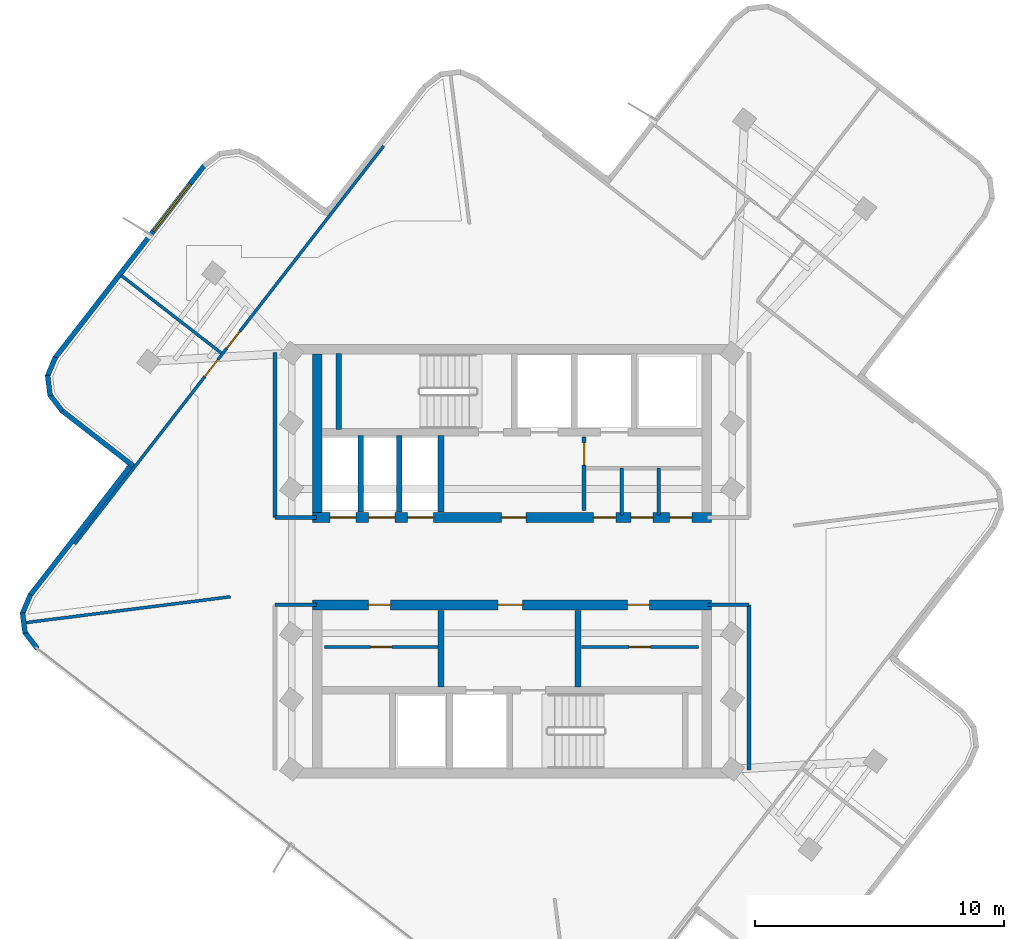
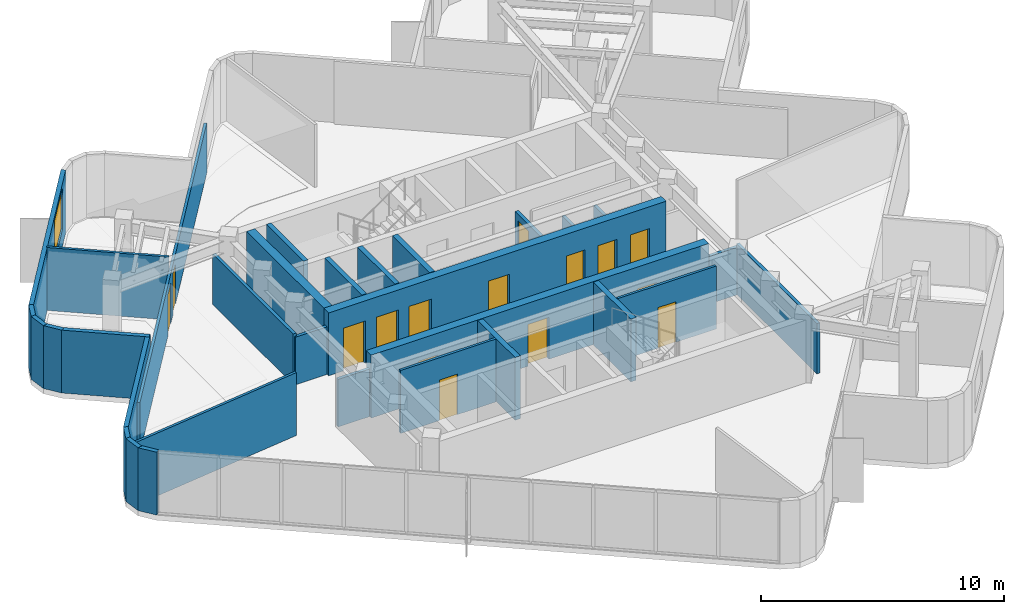
# One storey, part 6 of 10: 31 walls, 15 doors, 1 window, 16 openings.
"""IFC4 building model written with IfcOpenShell, lengths in metres."""

from ifc_helpers import new_model, si_unit, direction, frame, frame_2d, origin, place, context, subcontext, project, spatial, rectangle, extrude, material, layer, layer_set, type_object, element, fill, save


model = new_model("IFC4")

# Units and contexts
model_context = context("Model", 3, precision=1e-05, world=origin(), true_north=direction((0.0, 1.0)))
body_context = subcontext(model_context, "Body", "Model", "MODEL_VIEW")
ifc_project = project(units=[si_unit("LENGTHUNIT", "METRE"), si_unit("AREAUNIT", "SQUARE_METRE"), si_unit("VOLUMEUNIT", "CUBIC_METRE"), si_unit("PLANEANGLEUNIT", "RADIAN"), si_unit("MASSUNIT", "GRAM", prefix="KILO")], contexts=[model_context])

# Site, building, storey
site_placement = place(None, origin())
site = spatial("IfcSite", under=ifc_project, at=site_placement, CompositionType="ELEMENT")
building_placement = place(site_placement, origin())
building = spatial("IfcBuilding", under=site, at=building_placement, Name="Solmarez Civic Tower", CompositionType="ELEMENT")
storey_placement = place(building_placement, frame((0.0, 0.0, 257.760009765625)))
storey = spatial("IfcBuildingStorey", under=building, at=storey_placement, Name="L69", CompositionType="ELEMENT", Elevation=257.760009765625)

# Wall, openings, doors
ifc_material_1 = material(Name="Concrete C50/60", Category="concrete")
ifc_layer_1 = layer(ifc_material_1, 0.39990234375)
ifc_layer_set_1 = layer_set([ifc_layer_1], Name="Concrete C50/60")
wall_type_1 = type_object("IfcWallType", Name="WALL-CORE-400", PredefinedType="SHEAR", material=ifc_layer_set_1)
wall_1_placement = place(storey_placement, frame((8.02001953125, 1.75, 0.0), z_axis=(0.0, 0.0, 1.0), x_axis=(-1.0, 0.0, 0.0)))
wall_1 = element("IfcWall", 1, at=wall_1_placement, inside=storey, type_object=wall_type_1, Name="L69 Split-Core Structural Wall NCW-S-L69", PredefinedType="SHEAR", context=body_context, shape_type="SweptSolid", body=[
    extrude(rectangle(XDim=16.0400390625, YDim=0.39990234375, at=frame_2d((8.02001953125, 0.0))), origin(), (0.0, 0.0, 1.0), 3.159912109375),
])
opening_1_placement = place(wall_1_placement, frame((7.449951171875, 0.0, 0.0)))
opening_1 = element("IfcOpeningElement", 2, at=opening_1_placement, cuts=wall_1, Name="Opening D-04", PredefinedType="OPENING", context=body_context, shape_type="SweptSolid", body=[
    extrude(rectangle(XDim=1.0, YDim=2.10009765625, at=frame_2d((0.5, 1.050048828125))), frame((0.0, 0.2099609375, 0.0), z_axis=(0.0, -1.0, 0.0), x_axis=(1.0, 0.0, 0.0)), (0.0, 0.0, 1.0), 0.419921875),
])
opening_2_placement = place(wall_1_placement, frame((14.284912109375, 0.0, 0.0)))
opening_2 = element("IfcOpeningElement", 3, at=opening_2_placement, cuts=wall_1, Name="Opening LD-01", PredefinedType="OPENING", context=body_context, shape_type="SweptSolid", body=[
    extrude(rectangle(XDim=1.050048828125, YDim=2.14990234375, at=frame_2d((0.52490234375, 1.074951171875))), frame((0.0, 0.2099609375, 0.0), z_axis=(0.0, -1.0, 0.0), x_axis=(1.0, 0.0, 0.0)), (0.0, 0.0, 1.0), 0.419921875),
])
opening_3_placement = place(wall_1_placement, frame((12.72509765625, 0.0, 0.0)))
opening_3 = element("IfcOpeningElement", 4, at=opening_3_placement, cuts=wall_1, Name="Opening LD-01", PredefinedType="OPENING", context=body_context, shape_type="SweptSolid", body=[
    extrude(rectangle(XDim=1.050048828125, YDim=2.14990234375, at=frame_2d((0.52490234375, 1.074951171875))), frame((0.0, 0.2099609375, 0.0), z_axis=(0.0, -1.0, 0.0), x_axis=(1.0, 0.0, 0.0)), (0.0, 0.0, 1.0), 0.419921875),
])
opening_4_placement = place(wall_1_placement, frame((11.1650390625, 0.0, 0.0)))
opening_4 = element("IfcOpeningElement", 5, at=opening_4_placement, cuts=wall_1, Name="Opening LD-01", PredefinedType="OPENING", context=body_context, shape_type="SweptSolid", body=[
    extrude(rectangle(XDim=1.050048828125, YDim=2.14990234375, at=frame_2d((0.52490234375, 1.074951171875))), frame((0.0, 0.2099609375, 0.0), z_axis=(0.0, -1.0, 0.0), x_axis=(1.0, 0.0, 0.0)), (0.0, 0.0, 1.0), 0.419921875),
])
opening_5_placement = place(wall_1_placement, frame((3.85009765625, 0.0, 0.0)))
opening_5 = element("IfcOpeningElement", 6, at=opening_5_placement, cuts=wall_1, Name="Opening D-09", PredefinedType="OPENING", context=body_context, shape_type="SweptSolid", body=[
    extrude(rectangle(XDim=0.89990234375, YDim=2.06005859375, at=frame_2d((0.449951171875, 1.030029296875))), frame((0.0, 0.2099609375, 0.0), z_axis=(0.0, -1.0, 0.0), x_axis=(1.0, 0.0, 0.0)), (0.0, 0.0, 1.0), 0.419921875),
])
opening_6_placement = place(wall_1_placement, frame((2.35009765625, 0.0, 0.0)))
opening_6 = element("IfcOpeningElement", 7, at=opening_6_placement, cuts=wall_1, Name="Opening D-09", PredefinedType="OPENING", context=body_context, shape_type="SweptSolid", body=[
    extrude(rectangle(XDim=0.89990234375, YDim=2.06005859375, at=frame_2d((0.449951171875, 1.030029296875))), frame((0.0, 0.2099609375, 0.0), z_axis=(0.0, -1.0, 0.0), x_axis=(1.0, 0.0, 0.0)), (0.0, 0.0, 1.0), 0.419921875),
])
opening_7_placement = place(wall_1_placement, frame((0.800048828125, 0.0, 0.0)))
opening_7 = element("IfcOpeningElement", 8, at=opening_7_placement, cuts=wall_1, Name="Opening D-09", PredefinedType="OPENING", context=body_context, shape_type="SweptSolid", body=[
    extrude(rectangle(XDim=0.89990234375, YDim=2.06005859375, at=frame_2d((0.449951171875, 1.030029296875))), frame((0.0, 0.2099609375, 0.0), z_axis=(0.0, -1.0, 0.0), x_axis=(1.0, 0.0, 0.0)), (0.0, 0.0, 1.0), 0.419921875),
])
ifc_material_2 = material(Name="Steel-Faced Acoustic Fire Door", Category="steel")
door_type_1 = type_object("IfcDoorType", Name="DOOR-FD60-1000", OperationType="NOTDEFINED", PredefinedType="DOOR", material=ifc_material_2)
door_1_placement = place(opening_1_placement, origin())
door_1 = element("IfcDoor", 9, at=door_1_placement, inside=storey, type_object=door_type_1, Name="L69 North Firefighting Lobby Door", OperationType="SINGLE_SWING_RIGHT", OverallHeight=2.10009765625, OverallWidth=1.0, PredefinedType="DOOR", context=body_context, shape_type="SweptSolid", body=[
    extrude(rectangle(XDim=1.0, YDim=2.10009765625, at=frame_2d((0.5, 1.050048828125))), frame((0.0, 0.02490234375, 0.0), z_axis=(0.0, -1.0, 0.0), x_axis=(1.0, 0.0, 0.0)), (0.0, 0.0, 1.0), 0.050048828125),
])
fill(opening_1, door_1)
ifc_material_3 = material(Name="Fire-Rated Service Core Door", Category="wood")
door_type_2 = type_object("IfcDoorType", Name="DOOR-FD60-900", OperationType="NOTDEFINED", PredefinedType="DOOR", material=ifc_material_3)
door_2_placement = place(opening_5_placement, origin())
door_2 = element("IfcDoor", 10, at=door_2_placement, inside=storey, type_object=door_type_2, Name="L69 Core WC Door", OperationType="SINGLE_SWING_RIGHT", OverallHeight=2.06005859375, OverallWidth=0.89990234375, PredefinedType="DOOR", context=body_context, shape_type="SweptSolid", body=[
    extrude(rectangle(XDim=0.89990234375, YDim=2.06005859375, at=frame_2d((0.449951171875, 1.030029296875))), frame((0.0, 0.02490234375, 0.0), z_axis=(0.0, -1.0, 0.0), x_axis=(1.0, 0.0, 0.0)), (0.0, 0.0, 1.0), 0.050048828125),
])
fill(opening_5, door_2)
door_3_placement = place(opening_6_placement, origin())
door_3 = element("IfcDoor", 11, at=door_3_placement, inside=storey, type_object=door_type_2, Name="L69 Core CL Door", OperationType="SINGLE_SWING_LEFT", OverallHeight=2.06005859375, OverallWidth=0.89990234375, PredefinedType="DOOR", context=body_context, shape_type="SweptSolid", body=[
    extrude(rectangle(XDim=0.89990234375, YDim=2.06005859375, at=frame_2d((0.449951171875, 1.030029296875))), frame((0.0, 0.02490234375, 0.0), z_axis=(0.0, -1.0, 0.0), x_axis=(1.0, 0.0, 0.0)), (0.0, 0.0, 1.0), 0.050048828125),
])
fill(opening_6, door_3)
door_4_placement = place(opening_7_placement, origin())
door_4 = element("IfcDoor", 12, at=door_4_placement, inside=storey, type_object=door_type_2, Name="L69 Core IT Door", OperationType="SINGLE_SWING_LEFT", OverallHeight=2.06005859375, OverallWidth=0.89990234375, PredefinedType="DOOR", context=body_context, shape_type="SweptSolid", body=[
    extrude(rectangle(XDim=0.89990234375, YDim=2.06005859375, at=frame_2d((0.449951171875, 1.030029296875))), frame((0.0, 0.02490234375, 0.0), z_axis=(0.0, -1.0, 0.0), x_axis=(1.0, 0.0, 0.0)), (0.0, 0.0, 1.0), 0.050048828125),
])
fill(opening_7, door_4)
ifc_material_4 = material(Name="Bronze Passenger Lift Landing Sliding Door", Category="aluminium")
door_type_3 = type_object("IfcDoorType", Name="DOOR-LD-PAX-1050", OperationType="DOUBLE_DOOR_SLIDING", PredefinedType="DOOR", material=ifc_material_4)
door_5_placement = place(opening_2_placement, origin())
door_5 = element("IfcDoor", 13, at=door_5_placement, inside=storey, type_object=door_type_3, Name="L69 High-Rise Lift Landing Door PL-H1", OperationType="DOUBLE_DOOR_SLIDING", OverallHeight=2.14990234375, OverallWidth=1.050048828125, PredefinedType="DOOR", context=body_context, shape_type="SweptSolid", body=[
    extrude(rectangle(XDim=1.050048828125, YDim=2.14990234375, at=frame_2d((0.52490234375, 1.074951171875))), frame((0.0, 0.02490234375, 0.0), z_axis=(0.0, -1.0, 0.0), x_axis=(1.0, 0.0, 0.0)), (0.0, 0.0, 1.0), 0.050048828125),
])
fill(opening_2, door_5)
door_6_placement = place(opening_3_placement, origin())
door_6 = element("IfcDoor", 14, at=door_6_placement, inside=storey, type_object=door_type_3, Name="L69 High-Rise Lift Landing Door PL-H2", OperationType="DOUBLE_DOOR_SLIDING", OverallHeight=2.14990234375, OverallWidth=1.050048828125, PredefinedType="DOOR", context=body_context, shape_type="SweptSolid", body=[
    extrude(rectangle(XDim=1.050048828125, YDim=2.14990234375, at=frame_2d((0.52490234375, 1.074951171875))), frame((0.0, 0.02490234375, 0.0), z_axis=(0.0, -1.0, 0.0), x_axis=(1.0, 0.0, 0.0)), (0.0, 0.0, 1.0), 0.050048828125),
])
fill(opening_3, door_6)
door_7_placement = place(opening_4_placement, origin())
door_7 = element("IfcDoor", 15, at=door_7_placement, inside=storey, type_object=door_type_3, Name="L69 High-Rise Lift Landing Door PL-H3", OperationType="DOUBLE_DOOR_SLIDING", OverallHeight=2.14990234375, OverallWidth=1.050048828125, PredefinedType="DOOR", context=body_context, shape_type="SweptSolid", body=[
    extrude(rectangle(XDim=1.050048828125, YDim=2.14990234375, at=frame_2d((0.52490234375, 1.074951171875))), frame((0.0, 0.02490234375, 0.0), z_axis=(0.0, -1.0, 0.0), x_axis=(1.0, 0.0, 0.0)), (0.0, 0.0, 1.0), 0.050048828125),
])
fill(opening_4, door_7)

# Wall
wall_2_placement = place(storey_placement, frame((-7.820068359375, 1.949951171875, 0.0), z_axis=(0.0, 0.0, 1.0), x_axis=(0.0, 1.0, 0.0)))
element("IfcWall", 16, at=wall_2_placement, inside=storey, type_object=wall_type_1, Name="L69 Split-Core Structural Wall NCW-W-L69", PredefinedType="SHEAR", context=body_context, shape_type="SweptSolid", body=[
    extrude(rectangle(XDim=6.360107421875, YDim=0.39990234375, at=frame_2d((3.18017578125, 0.0))), origin(), (0.0, 0.0, 1.0), 3.159912109375),
])

# Wall, openings, doors
wall_3_placement = place(storey_placement, frame((-8.02001953125, -1.75, 0.0), z_axis=(0.0, 0.0, 1.0), x_axis=(1.0, 0.0, 0.0)))
wall_3 = element("IfcWall", 17, at=wall_3_placement, inside=storey, type_object=wall_type_1, Name="L69 Split-Core Structural Wall SCW-N-L69", PredefinedType="SHEAR", context=body_context, shape_type="SweptSolid", body=[
    extrude(rectangle(XDim=16.0400390625, YDim=0.39990234375, at=frame_2d((8.02001953125, 0.0))), origin(), (0.0, 0.0, 1.0), 3.159912109375),
])
opening_8_placement = place(wall_3_placement, frame((7.449951171875, 0.0, 0.0)))
opening_8 = element("IfcOpeningElement", 18, at=opening_8_placement, cuts=wall_3, Name="Opening D-04", PredefinedType="OPENING", context=body_context, shape_type="SweptSolid", body=[
    extrude(rectangle(XDim=1.0, YDim=2.10009765625, at=frame_2d((0.5, 1.050048828125))), frame((0.0, 0.2099609375, 0.0), z_axis=(0.0, -1.0, 0.0), x_axis=(1.0, 0.0, 0.0)), (0.0, 0.0, 1.0), 0.419921875),
])
opening_9_placement = place(wall_3_placement, frame((12.64990234375, 0.0, 0.0)))
opening_9 = element("IfcOpeningElement", 19, at=opening_9_placement, cuts=wall_3, Name="Opening D-09", PredefinedType="OPENING", context=body_context, shape_type="SweptSolid", body=[
    extrude(rectangle(XDim=0.89990234375, YDim=2.06005859375, at=frame_2d((0.449951171875, 1.030029296875))), frame((0.0, 0.2099609375, 0.0), z_axis=(0.0, -1.0, 0.0), x_axis=(1.0, 0.0, 0.0)), (0.0, 0.0, 1.0), 0.419921875),
])
opening_10_placement = place(wall_3_placement, frame((2.25, 0.0, 0.0)))
opening_10 = element("IfcOpeningElement", 20, at=opening_10_placement, cuts=wall_3, Name="Opening D-09", PredefinedType="OPENING", context=body_context, shape_type="SweptSolid", body=[
    extrude(rectangle(XDim=0.89990234375, YDim=2.06005859375, at=frame_2d((0.449951171875, 1.030029296875))), frame((0.0, 0.2099609375, 0.0), z_axis=(0.0, -1.0, 0.0), x_axis=(1.0, 0.0, 0.0)), (0.0, 0.0, 1.0), 0.419921875),
])
door_8_placement = place(opening_8_placement, origin())
door_8 = element("IfcDoor", 21, at=door_8_placement, inside=storey, type_object=door_type_1, Name="L69 South Firefighting Lobby Door", OperationType="SINGLE_SWING_LEFT", OverallHeight=2.10009765625, OverallWidth=1.0, PredefinedType="DOOR", context=body_context, shape_type="SweptSolid", body=[
    extrude(rectangle(XDim=1.0, YDim=2.10009765625, at=frame_2d((0.5, 1.050048828125))), frame((0.0, 0.02490234375, 0.0), z_axis=(0.0, -1.0, 0.0), x_axis=(1.0, 0.0, 0.0)), (0.0, 0.0, 1.0), 0.050048828125),
])
fill(opening_8, door_8)
door_9_placement = place(opening_9_placement, origin())
door_9 = element("IfcDoor", 22, at=door_9_placement, inside=storey, type_object=door_type_2, Name="L69 Freed Hoistway Mailroom Door", OperationType="SINGLE_SWING_LEFT", OverallHeight=2.06005859375, OverallWidth=0.89990234375, PredefinedType="DOOR", context=body_context, shape_type="SweptSolid", body=[
    extrude(rectangle(XDim=0.89990234375, YDim=2.06005859375, at=frame_2d((0.449951171875, 1.030029296875))), frame((0.0, 0.02490234375, 0.0), z_axis=(0.0, -1.0, 0.0), x_axis=(1.0, 0.0, 0.0)), (0.0, 0.0, 1.0), 0.050048828125),
])
fill(opening_9, door_9)
door_10_placement = place(opening_10_placement, origin())
door_10 = element("IfcDoor", 23, at=door_10_placement, inside=storey, type_object=door_type_2, Name="L69 Staff Kitchenette Pantry Door", OperationType="SINGLE_SWING_RIGHT", OverallHeight=2.06005859375, OverallWidth=0.89990234375, PredefinedType="DOOR", context=body_context, shape_type="SweptSolid", body=[
    extrude(rectangle(XDim=0.89990234375, YDim=2.06005859375, at=frame_2d((0.449951171875, 1.030029296875))), frame((0.0, 0.02490234375, 0.0), z_axis=(0.0, -1.0, 0.0), x_axis=(1.0, 0.0, 0.0)), (0.0, 0.0, 1.0), 0.050048828125),
])
fill(opening_10, door_10)

# Walls
ifc_material_5 = material(Name="Precast concrete C40/50", Category="concrete")
ifc_layer_2 = layer(ifc_material_5, 0.199951171875)
ifc_layer_set_2 = layer_set([ifc_layer_2], Name="Precast concrete C40/50")
wall_type_2 = type_object("IfcWallType", Name="WALL-EXT-200", PredefinedType="SOLIDWALL", material=ifc_layer_set_2)
wall_4_placement = place(storey_placement, frame((-19.06396484375, -3.509033203125, 0.0), z_axis=(0.0, 0.0, 1.0), x_axis=(-0.603908166539, 0.797053904317, 0.0)))
element("IfcWall", 24, at=wall_4_placement, inside=storey, type_object=wall_type_2, Name="L69 Exterior Precast Wall 7", PredefinedType="SOLIDWALL", context=body_context, shape_type="SweptSolid", body=[
    extrude(rectangle(XDim=0.838134765625, YDim=0.199951171875, at=frame_2d((0.4189453125, 0.0))), origin(), (0.0, 0.0, 1.0), 3.159912109375),
])
wall_5_placement = place(storey_placement, frame((-19.552001953125, -2.885986328125, 0.0), z_axis=(0.0, 0.0, 1.0), x_axis=(-0.124799052175, 0.992182038023, 0.0)))
element("IfcWall", 25, at=wall_5_placement, inside=storey, type_object=wall_type_2, Name="L69 Exterior Precast Wall 8", PredefinedType="SOLIDWALL", context=body_context, shape_type="SweptSolid", body=[
    extrude(rectangle(XDim=0.825439453125, YDim=0.199951171875, at=frame_2d((0.41259765625, 0.0))), origin(), (0.0, 0.0, 1.0), 3.159912109375),
])
wall_6_placement = place(storey_placement, frame((-19.662109375, -2.114990234375, 0.0), z_axis=(0.0, 0.0, 1.0), x_axis=(0.388213349612, 0.921569528133, 0.0)))
element("IfcWall", 26, at=wall_6_placement, inside=storey, type_object=wall_type_2, Name="L69 Exterior Precast Wall 9", PredefinedType="SOLIDWALL", context=body_context, shape_type="SweptSolid", body=[
    extrude(rectangle(XDim=0.837646484375, YDim=0.199951171875, at=frame_2d((0.4189453125, 0.0))), origin(), (0.0, 0.0, 1.0), 3.159912109375),
])
wall_7_placement = place(storey_placement, frame((-19.362060546875, -1.385986328125, 0.0), z_axis=(0.0, 0.0, 1.0), x_axis=(0.613007625303, 0.790076990755, 0.0)))
element("IfcWall", 27, at=wall_7_placement, inside=storey, type_object=wall_type_2, Name="L69 Exterior Precast Wall 10", PredefinedType="SOLIDWALL", context=body_context, shape_type="SweptSolid", body=[
    extrude(rectangle(XDim=6.7421875, YDim=0.199951171875, at=frame_2d((3.37109375, 0.0))), origin(), (0.0, 0.0, 1.0), 3.159912109375),
])
wall_8_placement = place(storey_placement, frame((-15.215087890625, 3.8291015625, 0.0), z_axis=(0.0, 0.0, 1.0), x_axis=(-0.790311198889, 0.612705646221, 0.0)))
element("IfcWall", 28, at=wall_8_placement, inside=storey, type_object=wall_type_2, Name="L69 Exterior Precast Wall 13", PredefinedType="SOLIDWALL", context=body_context, shape_type="SweptSolid", body=[
    extrude(rectangle(XDim=3.642822265625, YDim=0.199951171875, at=frame_2d((1.8212890625, 0.0))), origin(), (0.0, 0.0, 1.0), 3.159912109375),
])
wall_9_placement = place(storey_placement, frame((-18.05908203125, 6.02587890625, 0.0), z_axis=(0.0, 0.0, 1.0), x_axis=(-0.603582833373, 0.797300296787, 0.0)))
element("IfcWall", 29, at=wall_9_placement, inside=storey, type_object=wall_type_2, Name="L69 Exterior Precast Wall 14", PredefinedType="SOLIDWALL", context=body_context, shape_type="SweptSolid", body=[
    extrude(rectangle(XDim=0.838134765625, YDim=0.199951171875, at=frame_2d((0.4189453125, 0.0))), origin(), (0.0, 0.0, 1.0), 3.159912109375),
])
wall_10_placement = place(storey_placement, frame((-18.547119140625, 6.64892578125, 0.0), z_axis=(0.0, 0.0, 1.0), x_axis=(-0.124507909692, 0.992218615238, 0.0)))
element("IfcWall", 30, at=wall_10_placement, inside=storey, type_object=wall_type_2, Name="L69 Exterior Precast Wall 15", PredefinedType="SOLIDWALL", context=body_context, shape_type="SweptSolid", body=[
    extrude(rectangle(XDim=0.825439453125, YDim=0.199951171875, at=frame_2d((0.41259765625, 0.0))), origin(), (0.0, 0.0, 1.0), 3.159912109375),
])
wall_11_placement = place(storey_placement, frame((-18.656982421875, 7.419921875, 0.0), z_axis=(0.0, 0.0, 1.0), x_axis=(0.387965780676, 0.921673777985, 0.0)))
element("IfcWall", 31, at=wall_11_placement, inside=storey, type_object=wall_type_2, Name="L69 Exterior Precast Wall 16", PredefinedType="SOLIDWALL", context=body_context, shape_type="SweptSolid", body=[
    extrude(rectangle(XDim=0.837646484375, YDim=0.199951171875, at=frame_2d((0.4189453125, 0.0))), origin(), (0.0, 0.0, 1.0), 3.159912109375),
])

# Wall, opening, window
wall_12_placement = place(storey_placement, frame((-18.35693359375, 8.14892578125, 0.0), z_axis=(0.0, 0.0, 1.0), x_axis=(0.612797548915, 0.790239940806, 0.0)))
wall_12 = element("IfcWall", 32, at=wall_12_placement, inside=storey, type_object=wall_type_2, Name="L69 Exterior Precast Wall 17", PredefinedType="SOLIDWALL", context=body_context, shape_type="SweptSolid", body=[
    extrude(rectangle(XDim=9.82373046875, YDim=0.199951171875, at=frame_2d((4.911865234375, 0.0))), origin(), (0.0, 0.0, 1.0), 3.159912109375),
])
opening_11_placement = place(wall_12_placement, frame((6.4619140625, 0.0, 0.85009765625)))
opening_11 = element("IfcOpeningElement", 33, at=opening_11_placement, cuts=wall_12, Name="Opening W-02", PredefinedType="OPENING", context=body_context, shape_type="SweptSolid", body=[
    extrude(rectangle(XDim=2.39990234375, YDim=2.10009765625, at=frame_2d((1.199951171875, 1.050048828125))), frame((0.0, 0.10986328125, 0.0), z_axis=(0.0, -1.0, 0.0), x_axis=(1.0, 0.0, 0.0)), (0.0, 0.0, 1.0), 0.219970703125),
])
ifc_material_6 = material(Name="Solar Control Bronze-Tinted Insulating Glass", Category="glass")
window_type = type_object("IfcWindowType", Name="WIN-2400X2100", PartitioningType="SINGLE_PANEL", PredefinedType="WINDOW", material=ifc_material_6)
window_placement = place(opening_11_placement, origin())
window = element("IfcWindow", 34, at=window_placement, inside=storey, type_object=window_type, Name="L69 Exterior Facade Window 17", OverallHeight=2.10009765625, OverallWidth=2.39990234375, PartitioningType="SINGLE_PANEL", PredefinedType="WINDOW", context=body_context, shape_type="SweptSolid", body=[
    extrude(rectangle(XDim=2.39990234375, YDim=2.10009765625, at=frame_2d((1.199951171875, 1.050048828125))), frame((0.0, 0.030029296875, 0.0), z_axis=(0.0, -1.0, 0.0), x_axis=(1.0, 0.0, 0.0)), (0.0, 0.0, 1.0), 0.06005859375),
])
fill(opening_11, window)

# Walls
ifc_material_7 = material(Name="Gypsum Board Acoustic Steel-Stud Partition", Category="steel")
ifc_layer_3 = layer(ifc_material_7, 0.14990234375)
ifc_layer_set_3 = layer_set([ifc_layer_3], Name="Gypsum Board Acoustic Steel-Stud Partition")
wall_type_3 = type_object("IfcWallType", Name="WALL-INT-FIRE-150", PredefinedType="PARTITIONING", material=ifc_layer_set_3)
wall_13_placement = place(storey_placement, frame((-9.52001953125, 1.75, 0.0), z_axis=(0.0, 0.0, 1.0), x_axis=(0.0, 1.0, 0.0)))
element("IfcWall", 35, at=wall_13_placement, inside=storey, type_object=wall_type_3, Name="L69 Interior Partition CHW-L69-WN1", PredefinedType="PARTITIONING", context=body_context, shape_type="SweptSolid", body=[
    extrude(rectangle(XDim=6.6298828125, YDim=0.14990234375, at=frame_2d((3.31494140625, 0.0))), origin(), (0.0, 0.0, 1.0), 2.530029296875),
])
for number, where, z_axis, x_axis, name in (
    (36, (-7.85009765625, 1.75, 0.0), (0.0, 0.0, 1.0), (-1.0, 0.0, 0.0), "L69 Interior Partition CHW-L69-WN3"),
    (37, (-7.85009765625, -1.75, 0.0), (0.0, 0.0, 1.0), (-1.0, 0.0, 0.0), "L69 Interior Partition CHW-L69-WS3"),
):
    element("IfcWall", number, at=place(storey_placement, frame(where, z_axis=z_axis, x_axis=x_axis)), inside=storey, type_object=wall_type_3, Name=name, PredefinedType="PARTITIONING", context=body_context, shape_type="SweptSolid", body=[
        extrude(rectangle(XDim=1.669921875, YDim=0.14990234375, at=frame_2d((0.8349609375, 0.0))), origin(), (0.0, 0.0, 1.0), 2.389892578125),
    ])
wall_14_placement = place(storey_placement, frame((9.52001953125, -8.3798828125, 0.0), z_axis=(0.0, 0.0, 1.0), x_axis=(0.0, 1.0, 0.0)))
element("IfcWall", 38, at=wall_14_placement, inside=storey, type_object=wall_type_3, Name="L69 Interior Partition CHW-L69-ES1", PredefinedType="PARTITIONING", context=body_context, shape_type="SweptSolid", body=[
    extrude(rectangle(XDim=6.6298828125, YDim=0.14990234375, at=frame_2d((3.31494140625, 0.0))), origin(), (0.0, 0.0, 1.0), 2.530029296875),
])
wall_15_placement = place(storey_placement, frame((7.85009765625, -1.75, 0.0), z_axis=(0.0, 0.0, 1.0), x_axis=(1.0, 0.0, 0.0)))
element("IfcWall", 39, at=wall_15_placement, inside=storey, type_object=wall_type_3, Name="L69 Interior Partition CHW-L69-ES3", PredefinedType="PARTITIONING", context=body_context, shape_type="SweptSolid", body=[
    extrude(rectangle(XDim=1.669921875, YDim=0.14990234375, at=frame_2d((0.8349609375, 0.0))), origin(), (0.0, 0.0, 1.0), 2.389892578125),
])

# Wall, opening, door
ifc_layer_4 = layer(ifc_material_7, 0.1201171875)
ifc_layer_set_4 = layer_set([ifc_layer_4], Name="Gypsum Board Acoustic Steel-Stud Partition")
wall_type_4 = type_object("IfcWallType", Name="WALL-INT-PART-120", PredefinedType="PARTITIONING", material=ifc_layer_set_4)
wall_16_placement = place(storey_placement, frame((2.800048828125, -3.449951171875, 0.0), z_axis=(0.0, 0.0, 1.0), x_axis=(1.0, 0.0, 0.0)))
wall_16 = element("IfcWall", 40, at=wall_16_placement, inside=storey, type_object=wall_type_4, Name="L69 Interior Partition PT-FPLL-L69", PredefinedType="PARTITIONING", context=body_context, shape_type="SweptSolid", body=[
    extrude(rectangle(XDim=4.679931640625, YDim=0.1201171875, at=frame_2d((2.33984375, 0.0))), origin(), (0.0, 0.0, 1.0), 3.159912109375),
])
opening_12_placement = place(wall_16_placement, frame((1.89990234375, 0.0, 0.0)))
opening_12 = element("IfcOpeningElement", 41, at=opening_12_placement, cuts=wall_16, Name="Opening D-14", PredefinedType="OPENING", context=body_context, shape_type="SweptSolid", body=[
    extrude(rectangle(XDim=0.860107421875, YDim=2.0400390625, at=frame_2d((0.43017578125, 1.02001953125))), frame((0.0, 0.070068359375, 0.0), z_axis=(0.0, -1.0, 0.0), x_axis=(1.0, 0.0, 0.0)), (0.0, 0.0, 1.0), 0.14013671875),
])
ifc_material_8 = material(Name="Timber Storage and Pantry Door", Category="wood")
door_type_4 = type_object("IfcDoorType", Name="DOOR-INT-850", OperationType="NOTDEFINED", PredefinedType="DOOR", material=ifc_material_8)
door_11_placement = place(opening_12_placement, origin())
door_11 = element("IfcDoor", 42, at=door_11_placement, inside=storey, type_object=door_type_4, Name="L69 Records Filing Room Door", OperationType="SINGLE_SWING_LEFT", OverallHeight=2.0400390625, OverallWidth=0.860107421875, PredefinedType="DOOR", context=body_context, shape_type="SweptSolid", body=[
    extrude(rectangle(XDim=0.860107421875, YDim=2.0400390625, at=frame_2d((0.43017578125, 1.02001953125))), frame((0.0, 0.02490234375, 0.0), z_axis=(0.0, -1.0, 0.0), x_axis=(1.0, 0.0, 0.0)), (0.0, 0.0, 1.0), 0.050048828125),
])
fill(opening_12, door_11)

wall_17_placement = place(storey_placement, frame((-7.52001953125, -3.449951171875, 0.0), z_axis=(0.0, 0.0, 1.0), x_axis=(1.0, 0.0, 0.0)))
wall_17 = element("IfcWall", 43, at=wall_17_placement, inside=storey, type_object=wall_type_4, Name="L69 Interior Partition PT-FPLM-L69", PredefinedType="PARTITIONING", context=body_context, shape_type="SweptSolid", body=[
    extrude(rectangle(XDim=4.5400390625, YDim=0.1201171875, at=frame_2d((2.27001953125, 0.0))), origin(), (0.0, 0.0, 1.0), 3.159912109375),
])
opening_13_placement = place(wall_17_placement, frame((1.840087890625, 0.0, 0.0)))
opening_13 = element("IfcOpeningElement", 44, at=opening_13_placement, cuts=wall_17, Name="Opening D-14", PredefinedType="OPENING", context=body_context, shape_type="SweptSolid", body=[
    extrude(rectangle(XDim=0.860107421875, YDim=2.0400390625, at=frame_2d((0.43017578125, 1.02001953125))), frame((0.0, 0.070068359375, 0.0), z_axis=(0.0, -1.0, 0.0), x_axis=(1.0, 0.0, 0.0)), (0.0, 0.0, 1.0), 0.14013671875),
])
door_12_placement = place(opening_13_placement, origin())
door_12 = element("IfcDoor", 45, at=door_12_placement, inside=storey, type_object=door_type_4, Name="L69 Directorate Copy Office Door", OperationType="SINGLE_SWING_RIGHT", OverallHeight=2.0400390625, OverallWidth=0.860107421875, PredefinedType="DOOR", context=body_context, shape_type="SweptSolid", body=[
    extrude(rectangle(XDim=0.860107421875, YDim=2.0400390625, at=frame_2d((0.43017578125, 1.02001953125))), frame((0.0, 0.02490234375, 0.0), z_axis=(0.0, -1.0, 0.0), x_axis=(1.0, 0.0, 0.0)), (0.0, 0.0, 1.0), 0.050048828125),
])
fill(opening_13, door_12)

# Walls
wall_18_placement = place(storey_placement, frame((-11.31005859375, -1.428955078125, 0.0), z_axis=(0.0, 0.0, 1.0), x_axis=(-0.992107592132, -0.125389495712, 0.0)))
element("IfcWall", 46, at=wall_18_placement, inside=storey, type_object=wall_type_4, Name="L69 Interior Partition PT-L69-QDIV-2", PredefinedType="PARTITIONING", context=body_context, shape_type="SweptSolid", body=[
    extrude(rectangle(XDim=8.29443359375, YDim=0.1201171875, at=frame_2d((4.147216796875, 0.0))), origin(), (0.0, 0.0, 1.0), 3.159912109375),
])
wall_19_placement = place(storey_placement, frame((-11.676025390625, 8.361083984375, 0.0), z_axis=(0.0, 0.0, 1.0), x_axis=(-0.790227868115, 0.612813117071, 0.0)))
element("IfcWall", 47, at=wall_19_placement, inside=storey, type_object=wall_type_4, Name="L69 Interior Partition PT-L69-N-ALM", PredefinedType="PARTITIONING", context=body_context, shape_type="SweptSolid", body=[
    extrude(rectangle(XDim=5.084716796875, YDim=0.1201171875, at=frame_2d((2.54248046875, 0.0))), origin(), (0.0, 0.0, 1.0), 3.159912109375),
])

# Wall, openings, doors
wall_20_placement = place(storey_placement, frame((-17.554931640625, 0.68310546875, 0.0), z_axis=(0.0, 0.0, 1.0), x_axis=(0.61291959311, 0.790145285617, 0.0)))
wall_20 = element("IfcWall", 48, at=wall_20_placement, inside=storey, type_object=wall_type_4, Name="L69 Interior Partition PT-L69-N-ENT", PredefinedType="PARTITIONING", context=body_context, shape_type="SweptSolid", body=[
    extrude(rectangle(XDim=20.2392578125, YDim=0.1201171875, at=frame_2d((10.11962890625, 0.0))), origin(), (0.0, 0.0, 1.0), 2.530029296875),
])
opening_14_placement = place(wall_20_placement, frame((9.9599609375, 0.0, 0.0)))
opening_14 = element("IfcOpeningElement", 49, at=opening_14_placement, cuts=wall_20, Name="Opening D-14", PredefinedType="OPENING", context=body_context, shape_type="SweptSolid", body=[
    extrude(rectangle(XDim=0.860107421875, YDim=2.0400390625, at=frame_2d((0.43017578125, 1.02001953125))), frame((0.0, 0.070068359375, 0.0), z_axis=(0.0, -1.0, 0.0), x_axis=(1.0, 0.0, 0.0)), (0.0, 0.0, 1.0), 0.14013671875),
])
opening_15_placement = place(wall_20_placement, frame((8.52001953125, 0.0, 0.0)))
opening_15 = element("IfcOpeningElement", 50, at=opening_15_placement, cuts=wall_20, Name="Opening D-14", PredefinedType="OPENING", context=body_context, shape_type="SweptSolid", body=[
    extrude(rectangle(XDim=0.860107421875, YDim=2.0400390625, at=frame_2d((0.43017578125, 1.02001953125))), frame((0.0, 0.070068359375, 0.0), z_axis=(0.0, -1.0, 0.0), x_axis=(1.0, 0.0, 0.0)), (0.0, 0.0, 1.0), 0.14013671875),
])
door_13_placement = place(opening_14_placement, origin())
door_13 = element("IfcDoor", 51, at=door_13_placement, inside=storey, type_object=door_type_4, Name="L69 Public Reading Room Second North Door", OperationType="SINGLE_SWING_RIGHT", OverallHeight=2.0400390625, OverallWidth=0.860107421875, PredefinedType="DOOR", context=body_context, shape_type="SweptSolid", body=[
    extrude(rectangle(XDim=0.860107421875, YDim=2.0400390625, at=frame_2d((0.43017578125, 1.02001953125))), frame((0.0, 0.02490234375, 0.0), z_axis=(0.0, -1.0, 0.0), x_axis=(1.0, 0.0, 0.0)), (0.0, 0.0, 1.0), 0.050048828125),
])
fill(opening_14, door_13)
door_14_placement = place(opening_15_placement, origin())
door_14 = element("IfcDoor", 52, at=door_14_placement, inside=storey, type_object=door_type_4, Name="L69 Citizen Legal Clinic First North Door", OperationType="SINGLE_SWING_LEFT", OverallHeight=2.0400390625, OverallWidth=0.860107421875, PredefinedType="DOOR", context=body_context, shape_type="SweptSolid", body=[
    extrude(rectangle(XDim=0.860107421875, YDim=2.0400390625, at=frame_2d((0.43017578125, 1.02001953125))), frame((0.0, 0.02490234375, 0.0), z_axis=(0.0, -1.0, 0.0), x_axis=(1.0, 0.0, 0.0)), (0.0, 0.0, 1.0), 0.050048828125),
])
fill(opening_15, door_14)

# Wall, opening, door
ifc_layer_5 = layer(ifc_material_7, 0.159912109375)
ifc_layer_set_5 = layer_set([ifc_layer_5], Name="Gypsum Board Acoustic Steel-Stud Partition")
wall_type_5 = type_object("IfcWallType", Name="WALL-INT-SHAFT-160", PredefinedType="PARTITIONING", material=ifc_layer_set_5)
wall_21_placement = place(storey_placement, frame((2.89990234375, 2.0400390625, 0.0), z_axis=(0.0, 0.0, 1.0), x_axis=(0.0, 1.0, 0.0)))
wall_21 = element("IfcWall", 53, at=wall_21_placement, inside=storey, type_object=wall_type_5, Name="L69 Interior Partition SHW-NL2-L69", PredefinedType="PARTITIONING", context=body_context, shape_type="SweptSolid", body=[
    extrude(rectangle(XDim=2.93994140625, YDim=0.159912109375, at=frame_2d((1.469970703125, 0.0))), origin(), (0.0, 0.0, 1.0), 2.389892578125),
])
opening_16_placement = place(wall_21_placement, frame((1.820068359375, 0.0, 0.0)))
opening_16 = element("IfcOpeningElement", 54, at=opening_16_placement, cuts=wall_21, Name="Opening D-09", PredefinedType="OPENING", context=body_context, shape_type="SweptSolid", body=[
    extrude(rectangle(XDim=0.89990234375, YDim=2.06005859375, at=frame_2d((0.449951171875, 1.030029296875))), frame((0.0, 0.08984375, 0.0), z_axis=(0.0, -1.0, 0.0), x_axis=(1.0, 0.0, 0.0)), (0.0, 0.0, 1.0), 0.179931640625),
])
door_15_placement = place(opening_16_placement, origin())
door_15 = element("IfcDoor", 55, at=door_15_placement, inside=storey, type_object=door_type_2, Name="L69 Service Lift Lobby Door", OperationType="SINGLE_SWING_LEFT", OverallHeight=2.06005859375, OverallWidth=0.89990234375, PredefinedType="DOOR", context=body_context, shape_type="SweptSolid", body=[
    extrude(rectangle(XDim=0.89990234375, YDim=2.06005859375, at=frame_2d((0.449951171875, 1.030029296875))), frame((0.0, 0.02490234375, 0.0), z_axis=(0.0, -1.0, 0.0), x_axis=(1.0, 0.0, 0.0)), (0.0, 0.0, 1.0), 0.050048828125),
])
fill(opening_16, door_15)

# Walls
ifc_layer_6 = layer(ifc_material_7, 0.137939453125)
ifc_layer_set_6 = layer_set([ifc_layer_6], Name="Gypsum Board Acoustic Steel-Stud Partition")
wall_type_6 = type_object("IfcWallType", Name="WALL-INT-WET-140", PredefinedType="PARTITIONING", material=ifc_layer_set_6)
for number, where, z_axis, x_axis, name in (
    (56, (4.39990234375, 1.85009765625, 0.0), (0.0, 0.0, 1.0), (0.0, 1.0, 0.0), "L69 Interior Partition PT-NCSV1-L69"),
    (57, (5.89990234375, 1.85009765625, 0.0), (0.0, 0.0, 1.0), (0.0, 1.0, 0.0), "L69 Interior Partition PT-NCSV2-L69"),
):
    element("IfcWall", number, at=place(storey_placement, frame(where, z_axis=z_axis, x_axis=x_axis)), inside=storey, type_object=wall_type_6, Name=name, PredefinedType="PARTITIONING", context=body_context, shape_type="SweptSolid", body=[
        extrude(rectangle(XDim=1.889892578125, YDim=0.137939453125, at=frame_2d((0.94482421875, 0.0))), origin(), (0.0, 0.0, 1.0), 2.389892578125),
    ])
ifc_layer_7 = layer(ifc_material_1, 0.300048828125)
ifc_layer_set_7 = layer_set([ifc_layer_7], Name="Concrete C50/60")
wall_type_7 = type_object("IfcWallType", Name="WALL-STR-300", PredefinedType="SOLIDWALL", material=ifc_layer_set_7)
wall_22_placement = place(storey_placement, frame((-6.949951171875, 5.280029296875, 0.0), z_axis=(0.0, 0.0, 1.0), x_axis=(0.0, 1.0, 0.0)))
element("IfcWall", 58, at=wall_22_placement, inside=storey, type_object=wall_type_7, Name="L69 Split-Core Structural Wall SHW-NW-L69", PredefinedType="SOLIDWALL", context=body_context, shape_type="SweptSolid", body=[
    extrude(rectangle(XDim=3.06005859375, YDim=0.219970703125, at=frame_2d((1.530029296875, 0.0))), origin(), (0.0, 0.0, 1.0), 3.159912109375),
])
for number, where, z_axis, x_axis, name in (
    (59, (-2.85009765625, 1.97998046875, 0.0), (0.0, 0.0, 1.0), (0.0, 1.0, 0.0), "L69 Split-Core Structural Wall SHW-NL1-L69"),
    (60, (-2.85009765625, -5.050048828125, 0.0), (0.0, 0.0, 1.0), (0.0, 1.0, 0.0), "L69 Split-Core Structural Wall SHW-SL1-L69"),
    (61, (2.64990234375, -5.050048828125, 0.0), (0.0, 0.0, 1.0), (0.0, 1.0, 0.0), "L69 Split-Core Structural Wall SHW-SL2-L69"),
):
    element("IfcWall", number, at=place(storey_placement, frame(where, z_axis=z_axis, x_axis=x_axis)), inside=storey, type_object=wall_type_7, Name=name, PredefinedType="SOLIDWALL", context=body_context, shape_type="SweptSolid", body=[
        extrude(rectangle(XDim=3.070068359375, YDim=0.25, at=frame_2d((1.53515625, 0.0))), origin(), (0.0, 0.0, 1.0), 3.159912109375),
    ])
for number, where, z_axis, x_axis, name in (
    (62, (-6.080078125, 1.97998046875, 0.0), (0.0, 0.0, 1.0), (0.0, 1.0, 0.0), "L69 Split-Core Structural Wall SHW-PLH-L69-1"),
    (63, (-4.52001953125, 1.97998046875, 0.0), (0.0, 0.0, 1.0), (0.0, 1.0, 0.0), "L69 Split-Core Structural Wall SHW-PLH-L69-2"),
):
    element("IfcWall", number, at=place(storey_placement, frame(where, z_axis=z_axis, x_axis=x_axis)), inside=storey, type_object=wall_type_7, Name=name, PredefinedType="SOLIDWALL", context=body_context, shape_type="SweptSolid", body=[
        extrude(rectangle(XDim=3.070068359375, YDim=0.219970703125, at=frame_2d((1.53515625, 0.0))), origin(), (0.0, 0.0, 1.0), 3.159912109375),
    ])

save(model, "model.ifc")
